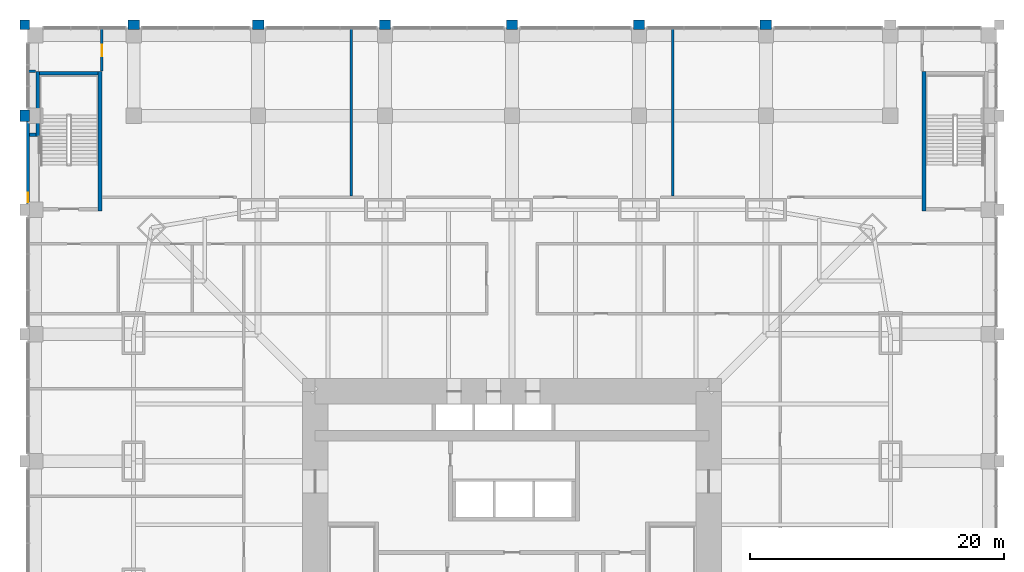
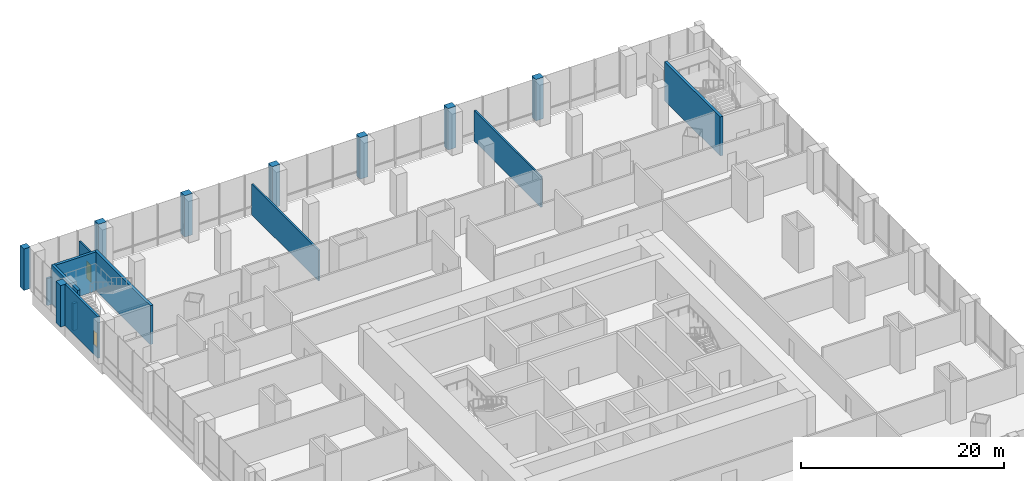
# One storey, part 20 of 24: 18 walls, 1 door, 1 window, 2 openings.
"""IFC4 building model written with IfcOpenShell, lengths in metres."""

from ifc_helpers import new_model, si_unit, direction, frame, frame_2d, origin, place, context, subcontext, project, spatial, rectangle, extrude, material, layer, layer_set, type_object, element, fill, save


model = new_model("IFC4")

# Units and contexts
model_context = context("Model", 3, precision=1e-05, world=origin(), true_north=direction((0.0, 1.0)))
body_context = subcontext(model_context, "Body", "Model", "MODEL_VIEW")
ifc_project = project(units=[si_unit("LENGTHUNIT", "METRE"), si_unit("AREAUNIT", "SQUARE_METRE"), si_unit("VOLUMEUNIT", "CUBIC_METRE"), si_unit("PLANEANGLEUNIT", "RADIAN"), si_unit("MASSUNIT", "GRAM", prefix="KILO")], contexts=[model_context])

# Site, building, storey
site_placement = place(None, origin())
site = spatial("IfcSite", under=ifc_project, at=site_placement, CompositionType="ELEMENT")
building_placement = place(site_placement, origin())
building = spatial("IfcBuilding", under=site, at=building_placement, Name="Khuree Lantern Residences", CompositionType="ELEMENT")
storey_placement = place(building_placement, frame((0.0, 0.0, 11.0)))
storey = spatial("IfcBuildingStorey", under=building, at=storey_placement, Name="L02", CompositionType="ELEMENT", Elevation=11.0)

# Walls
ifc_material_1 = material(Name="Dense concrete blockwork", Category="masonry")
ifc_layer_1 = layer(ifc_material_1, 0.300048828125)
ifc_layer_set_1 = layer_set([ifc_layer_1], Name="CORE PARTITION WALL CPW300 EI 120")
wall_type_1 = type_object("IfcWallType", Name="CORE PARTITION WALL CPW300 EI 120", PredefinedType="PARTITIONING", material=ifc_layer_set_1)
wall_1_placement = place(storey_placement, frame((-38.0, 35.7060546875, 0.0), z_axis=(0.0, 0.0, 1.0), x_axis=(1.0, 0.0, 0.0)))
element("IfcWall", 1, at=wall_1_placement, inside=storey, type_object=wall_type_1, Name="L02 STAIR ST3 WALL X", PredefinedType="PARTITIONING", context=body_context, shape_type="SweptSolid", body=[
    extrude(rectangle(XDim=0.5, YDim=0.300048828125, at=frame_2d((0.25, 0.0))), origin(), (0.0, 0.0, 1.0), 3.27001953125),
])
ifc_material_2 = material(Name="Flamed granite cladding on blockwork", Category="masonry")
ifc_layer_2 = layer(ifc_material_2, 0.75)
ifc_layer_set_2 = layer_set([ifc_layer_2], Name="PODIUM PIER PR1 900X750")
wall_type_2 = type_object("IfcWallType", Name="PODIUM PIER PR1 900X750", PredefinedType="SOLIDWALL", material=ifc_layer_set_2)
for number, where, z_axis, x_axis, name in (
    (2, (20.449951171875, 44.375, 0.0), (0.0, 0.0, 1.0), (-1.0, 0.0, 0.0), "L02 NORTH FACE PIER 2"),
    (3, (10.449951171875, 44.375, 0.0), (0.0, 0.0, 1.0), (-1.0, 0.0, 0.0), "L02 NORTH FACE PIER 3"),
    (4, (0.449951171875, 44.375, 0.0), (0.0, 0.0, 1.0), (-1.0, 0.0, 0.0), "L02 NORTH FACE PIER 4"),
    (5, (-9.550048828125, 44.375, 0.0), (0.0, 0.0, 1.0), (-1.0, 0.0, 0.0), "L02 NORTH FACE PIER 5"),
    (6, (-19.550048828125, 44.375, 0.0), (0.0, 0.0, 1.0), (-1.0, 0.0, 0.0), "L02 NORTH FACE PIER 6"),
    (7, (-29.35009765625, 44.375, 0.0), (0.0, 0.0, 1.0), (-1.0, 0.0, 0.0), "L02 NORTH FACE PIER 7"),
):
    element("IfcWall", number, at=place(storey_placement, frame(where, z_axis=z_axis, x_axis=x_axis)), inside=storey, type_object=wall_type_2, Name=name, PredefinedType="SOLIDWALL", context=body_context, shape_type="SweptSolid", body=[
        extrude(rectangle(XDim=0.89990234375, YDim=0.75, at=frame_2d((0.449951171875, 0.0))), origin(), (0.0, 0.0, 1.0), 5.0),
    ])
wall_2_placement = place(storey_placement, frame((-38.0, 44.375, 0.0), z_axis=(0.0, 0.0, 1.0), x_axis=(-1.0, 0.0, 0.0)))
element("IfcWall", 8, at=wall_2_placement, inside=storey, type_object=wall_type_2, Name="L02 NORTH FACE PIER 8", PredefinedType="SOLIDWALL", context=body_context, shape_type="SweptSolid", body=[
    extrude(rectangle(XDim=0.75, YDim=0.75, at=frame_2d((0.375, 0.0))), origin(), (0.0, 0.0, 1.0), 5.0),
])
wall_3_placement = place(storey_placement, frame((-38.375, 37.64990234375, 0.0), z_axis=(0.0, 0.0, 1.0), x_axis=(0.0, -1.0, 0.0)))
element("IfcWall", 9, at=wall_3_placement, inside=storey, type_object=wall_type_2, Name="L02 WEST FACE PIER 1", PredefinedType="SOLIDWALL", context=body_context, shape_type="SweptSolid", body=[
    extrude(rectangle(XDim=0.89990234375, YDim=0.75, at=frame_2d((0.449951171875, 0.0))), origin(), (0.0, 0.0, 1.0), 5.0),
])

# Wall, opening, window
ifc_layer_3 = layer(ifc_material_2, 0.25)
ifc_layer_set_3 = layer_set([ifc_layer_3], Name="PODIUM STONE WALL SW1 250")
wall_type_3 = type_object("IfcWallType", Name="PODIUM STONE WALL SW1 250", PredefinedType="SOLIDWALL", material=ifc_layer_set_3)
wall_4_placement = place(storey_placement, frame((-38.125, 36.75, 0.0), z_axis=(0.0, 0.0, 1.0), x_axis=(0.0, -1.0, 0.0)))
wall_4 = element("IfcWall", 10, at=wall_4_placement, inside=storey, type_object=wall_type_3, Name="L02 WEST FACE BAY 2 STONE WALL", PredefinedType="SOLIDWALL", context=body_context, shape_type="SweptSolid", body=[
    extrude(rectangle(XDim=6.5, YDim=0.25, at=frame_2d((3.25, 0.0))), origin(), (0.0, 0.0, 1.0), 5.0),
])
opening_1_placement = place(wall_4_placement, frame((5.60009765625, 0.0, 1.199951171875)))
opening_1 = element("IfcOpeningElement", 11, at=opening_1_placement, cuts=wall_4, Name="Opening L02-W02", PredefinedType="OPENING", context=body_context, shape_type="SweptSolid", body=[
    extrude(rectangle(XDim=0.75, YDim=1.699951171875, at=frame_2d((0.375, 0.85009765625))), frame((0.0, 0.135009765625, 0.0), z_axis=(0.0, -1.0, 0.0), x_axis=(1.0, 0.0, 0.0)), (0.0, 0.0, 1.0), 0.27001953125),
])
ifc_material_3 = material(Name="Aluminium frame, triple glazing", Category="aluminium")
window_type = type_object("IfcWindowType", Name="STAIR WINDOW W1 750X1700", PartitioningType="SINGLE_PANEL", PredefinedType="WINDOW", material=ifc_material_3)
window_placement = place(opening_1_placement, origin())
window = element("IfcWindow", 12, at=window_placement, inside=storey, type_object=window_type, Name="Stair ST3 window L02-W02", OverallHeight=1.699951171875, OverallWidth=0.75, PartitioningType="SINGLE_PANEL", PredefinedType="WINDOW", context=body_context, shape_type="SweptSolid", body=[
    extrude(rectangle(XDim=0.75, YDim=1.699951171875, at=frame_2d((0.375, 0.85009765625))), frame((0.0, 0.030029296875, 0.0), z_axis=(0.0, -1.0, 0.0), x_axis=(1.0, 0.0, 0.0)), (0.0, 0.0, 1.0), 0.06005859375),
])
fill(opening_1, window)

# Walls
ifc_layer_4 = layer(ifc_material_1, 0.199951171875)
ifc_layer_set_4 = layer_set([ifc_layer_4], Name="ROOM WALL RMW200")
wall_type_4 = type_object("IfcWallType", Name="ROOM WALL RMW200", PredefinedType="SOLIDWALL", material=ifc_layer_set_4)
for number, where, z_axis, x_axis, name in (
    (13, (-12.6669921875, 30.89990234375, 0.0), (0.0, 0.0, 1.0), (0.0, 1.0, 0.0), "L02 ROOM WALL 40"),
    (14, (12.6669921875, 30.89990234375, 0.0), (0.0, 0.0, 1.0), (0.0, 1.0, 0.0), "L02 ROOM WALL 41"),
):
    element("IfcWall", number, at=place(storey_placement, frame(where, z_axis=z_axis, x_axis=x_axis)), inside=storey, type_object=wall_type_4, Name=name, PredefinedType="SOLIDWALL", context=body_context, shape_type="SweptSolid", body=[
        extrude(rectangle(XDim=13.175048828125, YDim=0.199951171875, at=frame_2d((6.58740234375, 0.0))), origin(), (0.0, 0.0, 1.0), 3.699951171875),
    ])
wall_5_placement = place(storey_placement, frame((-38.074951171875, 40.699951171875, 0.0), z_axis=(0.0, 0.0, 1.0), x_axis=(1.0, 0.0, 0.0)))
element("IfcWall", 15, at=wall_5_placement, inside=storey, type_object=wall_type_4, Name="L02 ROOM WALL 42", PredefinedType="SOLIDWALL", context=body_context, shape_type="SweptSolid", body=[
    extrude(rectangle(XDim=0.554931640625, YDim=0.199951171875, at=frame_2d((0.27734375, 0.0))), origin(), (0.0, 0.0, 1.0), 3.27001953125),
])

# Wall, opening, door
wall_6_placement = place(storey_placement, frame((-32.300048828125, 40.719970703125, 0.0), z_axis=(0.0, 0.0, 1.0), x_axis=(0.0, 1.0, 0.0)))
wall_6 = element("IfcWall", 16, at=wall_6_placement, inside=storey, type_object=wall_type_4, Name="L02 ROOM WALL 44", PredefinedType="SOLIDWALL", context=body_context, shape_type="SweptSolid", body=[
    extrude(rectangle(XDim=3.35498046875, YDim=0.199951171875, at=frame_2d((1.677490234375, 0.0))), origin(), (0.0, 0.0, 1.0), 3.699951171875),
])
opening_2_placement = place(wall_6_placement, frame((1.18994140625, 0.0, 0.0)))
opening_2 = element("IfcOpeningElement", 17, at=opening_2_placement, cuts=wall_6, Name="Opening 02-043", PredefinedType="OPENING", context=body_context, shape_type="SweptSolid", body=[
    extrude(rectangle(XDim=0.89990234375, YDim=2.10009765625, at=frame_2d((0.449951171875, 1.050048828125))), frame((0.0, 0.10986328125, 0.0), z_axis=(0.0, -1.0, 0.0), x_axis=(1.0, 0.0, 0.0)), (0.0, 0.0, 1.0), 0.219970703125),
])
ifc_material_4 = material(Name="Timber door leaf in hardwood frame", Category="wood")
door_type = type_object("IfcDoorType", Name="WC DOOR 900X2100", OperationType="SINGLE_SWING_LEFT", PredefinedType="DOOR", material=ifc_material_4)
door_placement = place(opening_2_placement, origin())
door = element("IfcDoor", 18, at=door_placement, inside=storey, type_object=door_type, Name="Cleaner's store door 02-043", OperationType="SINGLE_SWING_LEFT", OverallHeight=2.10009765625, OverallWidth=0.89990234375, PredefinedType="DOOR", context=body_context, shape_type="SweptSolid", body=[
    extrude(rectangle(XDim=0.89990234375, YDim=2.10009765625, at=frame_2d((0.449951171875, 1.050048828125))), frame((0.0, 0.02490234375, 0.0), z_axis=(0.0, -1.0, 0.0), x_axis=(1.0, 0.0, 0.0)), (0.0, 0.0, 1.0), 0.050048828125),
])
fill(opening_2, door)

# Walls
ifc_material_5 = material(Name="Concrete C50/60", Category="concrete")
ifc_layer_5 = layer(ifc_material_5, 0.300048828125)
ifc_layer_set_5 = layer_set([ifc_layer_5], Name="STAIR WALL SRW300 C50/60 REI 240")
wall_type_5 = type_object("IfcWallType", Name="STAIR WALL SRW300 C50/60 REI 240", PredefinedType="SOLIDWALL", material=ifc_layer_set_5)
wall_7_placement = place(storey_placement, frame((-37.35009765625, 35.555908203125, 0.0), z_axis=(0.0, 0.0, 1.0), x_axis=(0.0, 1.0, 0.0)))
element("IfcWall", 19, at=wall_7_placement, inside=storey, type_object=wall_type_5, Name="L02 STAIR ST3 WALL O", PredefinedType="SOLIDWALL", context=body_context, shape_type="SweptSolid", body=[
    extrude(rectangle(XDim=5.14404296875, YDim=0.300048828125, at=frame_2d((2.572021484375, 0.0))), origin(), (0.0, 0.0, 1.0), 4.699951171875),
])
wall_8_placement = place(storey_placement, frame((-32.449951171875, 29.699951171875, 0.0), z_axis=(0.0, 0.0, 1.0), x_axis=(0.0, 1.0, 0.0)))
element("IfcWall", 20, at=wall_8_placement, inside=storey, type_object=wall_type_5, Name="L02 STAIR ST3 WALL I", PredefinedType="SOLIDWALL", context=body_context, shape_type="SweptSolid", body=[
    extrude(rectangle(XDim=11.0, YDim=0.300048828125, at=frame_2d((5.5, 0.0))), origin(), (0.0, 0.0, 1.0), 4.699951171875),
])
wall_9_placement = place(storey_placement, frame((-37.199951171875, 40.550048828125, 0.0), z_axis=(0.0, 0.0, 1.0), x_axis=(1.0, 0.0, 0.0)))
element("IfcWall", 21, at=wall_9_placement, inside=storey, type_object=wall_type_5, Name="L02 STAIR ST3 WALL N", PredefinedType="SOLIDWALL", context=body_context, shape_type="SweptSolid", body=[
    extrude(rectangle(XDim=4.599853515625, YDim=0.300048828125, at=frame_2d((2.2998046875, 0.0))), origin(), (0.0, 0.0, 1.0), 4.699951171875),
])
wall_10_placement = place(storey_placement, frame((32.449951171875, 29.699951171875, 0.0), z_axis=(0.0, 0.0, 1.0), x_axis=(0.0, 1.0, 0.0)))
element("IfcWall", 22, at=wall_10_placement, inside=storey, type_object=wall_type_5, Name="L02 STAIR ST4 WALL I", PredefinedType="SOLIDWALL", context=body_context, shape_type="SweptSolid", body=[
    extrude(rectangle(XDim=11.0, YDim=0.300048828125, at=frame_2d((5.5, 0.0))), origin(), (0.0, 0.0, 1.0), 4.699951171875),
])

save(model, "model.ifc")
